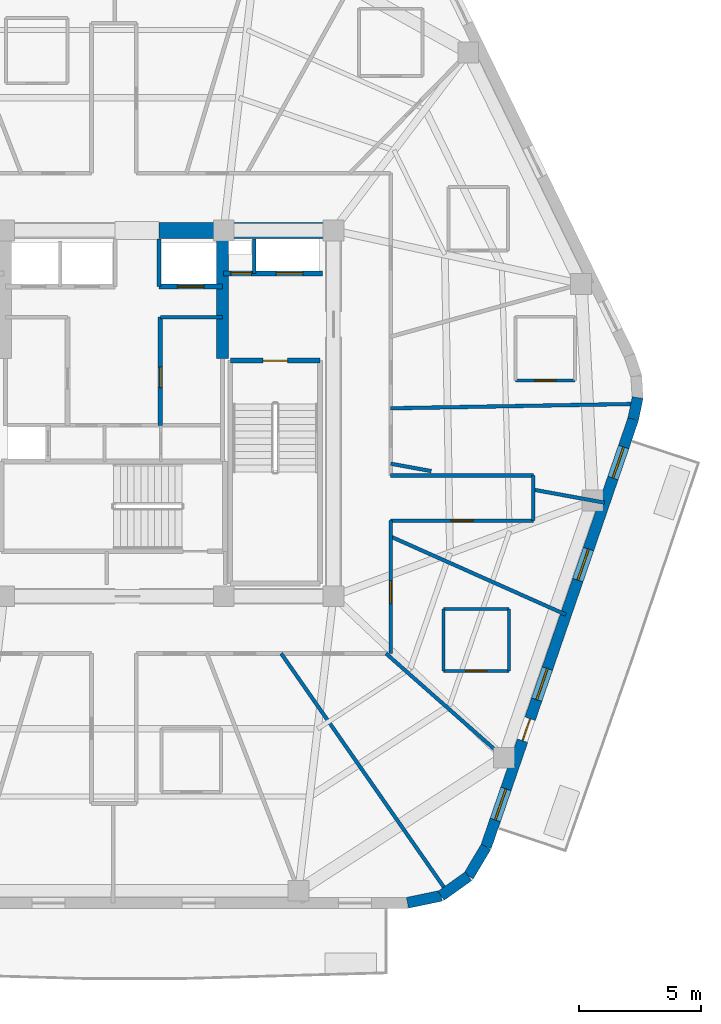
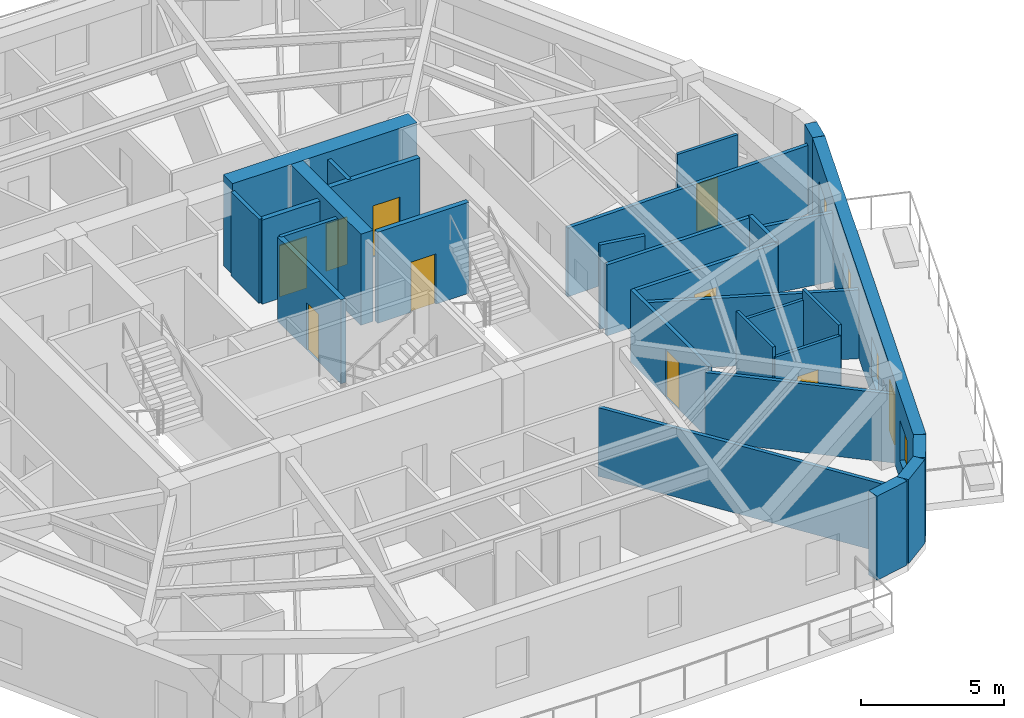
# One storey, part 5 of 9: 29 walls, 10 doors, 4 windows, 14 openings.
"""IFC4 building model written with IfcOpenShell, lengths in metres."""

import ifcopenshell
import ifcopenshell.guid

model = None  # the IFC model being written
_history = None  # IfcOwnerHistory: only IFC2X3 demands one
_inside = {}  # id of a spatial element -> (the spatial element, [elements in it])
_under = {}  # id of a project, library or spatial element -> (it, [spatial elements below it])
_declared = {}  # id of a project -> (the project, [libraries it declares])
_typed = {}  # id of a type object -> (the type object, [elements of that type])
_made_of = {}  # id of a material, layer set ... -> (it, [elements and type objects made of it])


def new_model(schema):
    """Start an empty IFC model of exactly this schema.

    Asked for "IFC4X3", IfcOpenShell would pick the latest addendum, in which some entities
    have other attributes; the version numbers below select the first issue.
    IFC2X3 requires an IfcOwnerHistory on every rooted entity: one is made here for all.
    """
    global model, _history
    if schema == "IFC4X3":
        model = ifcopenshell.file(schema_version=(4, 3, 0, 0))
    else:
        model = ifcopenshell.file(schema=schema)
    _inside.clear()
    _under.clear()
    _declared.clear()
    _typed.clear()
    _made_of.clear()
    _history = None
    if model.schema == "IFC2X3":
        org = make("IfcOrganization", Name="unknown")
        user = make(
            "IfcPersonAndOrganization",
            ThePerson=make("IfcPerson", FamilyName="unknown"),
            TheOrganization=org,
        )
        app = make(
            "IfcApplication",
            ApplicationDeveloper=org,
            Version="unknown",
            ApplicationFullName="unknown",
            ApplicationIdentifier="unknown",
        )
        _history = make(
            "IfcOwnerHistory",
            OwningUser=user,
            OwningApplication=app,
            ChangeAction="ADDED",
            CreationDate=0,
        )
    return model


def make(cls, **values):
    """One entity of the class cls with the attributes given. An attribute that is None is left unset."""
    return model.create_entity(
        cls, **{name: value for name, value in values.items() if value is not None}
    )


def rooted(cls, **values):
    """An entity with a GlobalId (a new one), such as an element, a storey or a relation."""
    return make(cls, GlobalId=ifcopenshell.guid.new(), OwnerHistory=_history, **values)


def si_unit(unit_type, name, prefix=None):
    """IfcSIUnit, for example si_unit("LENGTHUNIT", "METRE", prefix="MILLI")."""
    return make("IfcSIUnit", UnitType=unit_type, Prefix=prefix, Name=name)


def assignment(units):
    """IfcUnitAssignment: the units of a project."""
    return None if units is None else make("IfcUnitAssignment", Units=units)


def point(xyz):
    """IfcCartesianPoint."""
    return None if xyz is None else make("IfcCartesianPoint", Coordinates=xyz)


def direction(xyz):
    """IfcDirection."""
    return None if xyz is None else make("IfcDirection", DirectionRatios=xyz)


def frame(location, z_axis=None, x_axis=None):
    """IfcAxis2Placement3D, a coordinate frame: its origin and axes. An axis left out is left unset."""
    return make(
        "IfcAxis2Placement3D",
        Location=point(location),
        Axis=direction(z_axis),
        RefDirection=direction(x_axis),
    )


def frame_2d(location, x_axis=None):
    """IfcAxis2Placement2D, a coordinate frame in the plane: its origin and x axis."""
    return make(
        "IfcAxis2Placement2D", Location=point(location), RefDirection=direction(x_axis)
    )


def origin():
    """The frame at (0, 0, 0) with its axes left unset."""
    return frame((0.0, 0.0, 0.0))


def place(relative_to, where):
    """IfcLocalPlacement: puts the frame where relative to a parent placement (None: the world)."""
    return make(
        "IfcLocalPlacement", PlacementRelTo=relative_to, RelativePlacement=where
    )


def context(
    kind, dimensions, precision=None, world=None, true_north=None, identifier=None
):
    """IfcGeometricRepresentationContext, for example the 3D "Model" context."""
    return make(
        "IfcGeometricRepresentationContext",
        ContextIdentifier=identifier,
        ContextType=kind,
        CoordinateSpaceDimension=dimensions,
        Precision=precision,
        WorldCoordinateSystem=world,
        TrueNorth=true_north,
    )


def subcontext(parent, identifier, kind, view, scale=None):
    """IfcGeometricRepresentationSubContext, for example "Body" below "Model"."""
    return make(
        "IfcGeometricRepresentationSubContext",
        ContextIdentifier=identifier,
        ContextType=kind,
        ParentContext=parent,
        TargetScale=scale,
        TargetView=view,
    )


def project(units=None, contexts=None):
    """IfcProject with its units and contexts."""
    return rooted(
        "IfcProject",
        Name="project",
        RepresentationContexts=contexts,
        UnitsInContext=assignment(units),
    )


def spatial(cls, under=None, at=None, **own):
    """A site, building, storey or space (cls), placed at a placement, below another one or the project."""
    s = rooted(cls, ObjectPlacement=at, **own)
    if under is not None:
        _under.setdefault(under.id(), (under, []))[1].append(s)
    return s


def profile(cls, at=None, kind="AREA", **sizes):
    """A parametric profile (cls). Its sizes go by their IFC names, for example OverallWidth=200.0."""
    return make(cls, ProfileType=kind, Position=at, **sizes)


def rectangle(**sizes):
    """IfcRectangleProfileDef."""
    return profile("IfcRectangleProfileDef", **sizes)


def extrude(swept, where, along, depth):
    """IfcExtrudedAreaSolid: the profile swept, set in the frame where, extruded along a direction by depth."""
    return make(
        "IfcExtrudedAreaSolid",
        SweptArea=swept,
        Position=where,
        ExtrudedDirection=direction(along),
        Depth=depth,
    )


def shape(context_of_items, identifier, shape_type, items):
    """IfcShapeRepresentation: the items that make up one representation, for example the "Body"."""
    return make(
        "IfcShapeRepresentation",
        ContextOfItems=context_of_items,
        RepresentationIdentifier=identifier,
        RepresentationType=shape_type,
        Items=items,
    )


def material(Name=None, Category=None):
    """IfcMaterial."""
    return make("IfcMaterial", Name=Name, Category=Category)


def layer(
    of_material, thickness, ventilated=None, Name=None, Category=None, Priority=None
):
    """IfcMaterialLayer: one layer of a wall or slab, of a material (None: an air gap)."""
    return make(
        "IfcMaterialLayer",
        Material=of_material,
        LayerThickness=thickness,
        IsVentilated=ventilated,
        Name=Name,
        Category=Category,
        Priority=Priority,
    )


def layer_set(layers, Name=None):
    """IfcMaterialLayerSet."""
    return make("IfcMaterialLayerSet", MaterialLayers=layers, LayerSetName=Name)


def made_of(thing, what):
    """Note that an element or type object is made of a material, layer set ...; save() writes the relation."""
    if what is not None:
        _made_of.setdefault(what.id(), (what, []))[1].append(thing)
    return thing


def type_object(cls, material=None, **own):
    """A type object (cls), such as IfcWallType, which elements share."""
    return made_of(rooted(cls, **own), material)


def element(
    cls,
    number,
    at=None,
    inside=None,
    cuts=None,
    type_object=None,
    material=None,
    context=None,
    identifier="Body",
    shape_type=None,
    held_by="IfcProductDefinitionShape",
    body=None,
    shapes=None,
    **own,
):
    """One element of the class cls, such as IfcWall. Its Tag is "e" and its number.

    at: its placement. inside: the storey or other place that contains it. cuts: it is an
    opening in that element (IfcRelVoidsElement). A single representation is given by context,
    identifier, shape_type and body (its items); several are given by shapes. held_by: the class
    of the entity that holds the representations. save() writes the other relations.
    """
    e = rooted(cls, Tag="e%d" % number, ObjectPlacement=at, **own)
    if body is not None:
        shapes = [shape(context, identifier, shape_type, body)]
    if shapes is not None:
        e.Representation = make(held_by, Representations=shapes)
    if inside is not None:
        _inside.setdefault(inside.id(), (inside, []))[1].append(e)
    if cuts is not None:
        rooted(
            "IfcRelVoidsElement", RelatingBuildingElement=cuts, RelatedOpeningElement=e
        )
    if type_object is not None:
        _typed.setdefault(type_object.id(), (type_object, []))[1].append(e)
    return made_of(e, material)


def fill(opening, filler):
    """IfcRelFillsElement: the door or window that sits in an opening."""
    return rooted(
        "IfcRelFillsElement",
        RelatingOpeningElement=opening,
        RelatedBuildingElement=filler,
    )


def aggregate(whole, parts):
    """IfcRelAggregates: a whole, such as a stair, and the parts it consists of."""
    return rooted("IfcRelAggregates", RelatingObject=whole, RelatedObjects=parts)


def save(model, path):
    """Write the relations noted so far, then the file.

    IfcRelAggregates (storeys below a building ...), IfcRelContainedInSpatialStructure (elements
    in a storey), IfcRelDefinesByType, IfcRelAssociatesMaterial and IfcRelDeclares: one each for
    every whole, place, type object, material and project.
    """
    for whole, parts in _under.values():
        aggregate(whole, parts)
    for where, things in _inside.values():
        rooted(
            "IfcRelContainedInSpatialStructure",
            RelatedElements=things,
            RelatingStructure=where,
        )
    for kind, things in _typed.values():
        rooted("IfcRelDefinesByType", RelatedObjects=things, RelatingType=kind)
    for what, things in _made_of.values():
        rooted("IfcRelAssociatesMaterial", RelatedObjects=things, RelatingMaterial=what)
    for by, libraries in _declared.values():
        rooted("IfcRelDeclares", RelatingContext=by, RelatedDefinitions=libraries)
    model.write(path)


model = new_model("IFC4")

# Units and contexts
model_context = context("Model", 3, precision=1e-05, world=origin(), true_north=direction((0.0, 1.0)))
body_context = subcontext(model_context, "Body", "Model", "MODEL_VIEW")
ifc_project = project(units=[si_unit("LENGTHUNIT", "METRE"), si_unit("AREAUNIT", "SQUARE_METRE"), si_unit("VOLUMEUNIT", "CUBIC_METRE"), si_unit("PLANEANGLEUNIT", "RADIAN"), si_unit("MASSUNIT", "GRAM", prefix="KILO")], contexts=[model_context])

# Site, building, storey
site_placement = place(None, origin())
site = spatial("IfcSite", under=ifc_project, at=site_placement, CompositionType="ELEMENT")
building_placement = place(site_placement, origin())
building = spatial("IfcBuilding", under=site, at=building_placement, Name="Kilnhurst Terrace Hotel", CompositionType="ELEMENT")
storey_placement = place(building_placement, frame((0.0, 0.0, 261.300048828125)))
storey = spatial("IfcBuildingStorey", under=building, at=storey_placement, Name="L65", CompositionType="ELEMENT", Elevation=261.300048828125)

# Walls
ifc_material_1 = material(Name="Precast concrete C40/50", Category="concrete")
ifc_layer_1 = layer(ifc_material_1, 0.449951171875, Name="Precast concrete C40/50")
ifc_layer_set_1 = layer_set([ifc_layer_1], Name="Precast concrete C40/50")
wall_type_1 = type_object("IfcWallType", Name="WL-BRK-450", PredefinedType="SOLIDWALL", material=ifc_layer_set_1)
wall_1_placement = place(storey_placement, frame((12.038330078125, -20.074951171875, 0.0), z_axis=(0.0, 0.0, 1.0), x_axis=(0.978750122553, 0.205056571711, 0.0)))
element("IfcWall", 1, at=wall_1_placement, inside=storey, type_object=wall_type_1, Name="L65 Rounded Corner Brick Wall C2.1", PredefinedType="SOLIDWALL", context=body_context, shape_type="SweptSolid", body=[
    extrude(rectangle(XDim=1.406005859375, YDim=0.449951171875, at=frame_2d((0.703125, 0.0))), origin(), (0.0, 0.0, 1.0), 3.599853515625),
])
wall_2_placement = place(storey_placement, frame((13.41455078125, -19.78662109375, 0.0), z_axis=(0.0, 0.0, 1.0), x_axis=(0.814055493997, 0.580787097561, 0.0)))
element("IfcWall", 2, at=wall_2_placement, inside=storey, type_object=wall_type_1, Name="L65 Rounded Corner Brick Wall C2.2", PredefinedType="SOLIDWALL", context=body_context, shape_type="SweptSolid", body=[
    extrude(rectangle(XDim=1.382568359375, YDim=0.449951171875, at=frame_2d((0.69140625, 0.0))), origin(), (0.0, 0.0, 1.0), 3.599853515625),
])
wall_3_placement = place(storey_placement, frame((14.5400390625, -18.983642578125, 0.0), z_axis=(0.0, 0.0, 1.0), x_axis=(0.512374906623, 0.858761873317, 0.0)))
element("IfcWall", 3, at=wall_3_placement, inside=storey, type_object=wall_type_1, Name="L65 Rounded Corner Brick Wall C2.3", PredefinedType="SOLIDWALL", context=body_context, shape_type="SweptSolid", body=[
    extrude(rectangle(XDim=1.406005859375, YDim=0.449951171875, at=frame_2d((0.703125, 0.0))), origin(), (0.0, 0.0, 1.0), 3.599853515625),
])
wall_4_placement = place(storey_placement, frame((21.297607421875, -0.2333984375, 0.0), z_axis=(0.0, 0.0, 1.0), x_axis=(0.199158176661, 0.979967356941, 0.0)))
element("IfcWall", 4, at=wall_4_placement, inside=storey, type_object=wall_type_1, Name="L65 Rounded Corner Brick Wall C3.1", PredefinedType="SOLIDWALL", context=body_context, shape_type="SweptSolid", body=[
    extrude(rectangle(XDim=0.894775390625, YDim=0.449951171875, at=frame_2d((0.447265625, 0.0))), origin(), (0.0, 0.0, 1.0), 3.599853515625),
])

# Wall, openings, door, windows
wall_5_placement = place(storey_placement, frame((15.260498046875, -17.776123046875, 0.0), z_axis=(0.0, 0.0, 1.0), x_axis=(0.325407437101, 0.945573899745, 0.0)))
wall_5 = element("IfcWall", 5, at=wall_5_placement, inside=storey, type_object=wall_type_1, Name="L65 Exterior Brick Facade Wall F2", PredefinedType="SOLIDWALL", context=body_context, shape_type="SweptSolid", body=[
    extrude(rectangle(XDim=18.552490234375, YDim=0.449951171875, at=frame_2d((9.2763671875, 0.0))), origin(), (0.0, 0.0, 1.0), 3.599853515625),
])
opening_1_placement = place(wall_5_placement, frame((4.60205078125, 0.0, 0.0)))
opening_1 = element("IfcOpeningElement", 6, at=opening_1_placement, cuts=wall_5, Name="Opening BD-950", PredefinedType="OPENING", context=body_context, shape_type="SweptSolid", body=[
    extrude(rectangle(XDim=0.949951171875, YDim=2.14990234375, at=frame_2d((0.47509765625, 1.074951171875))), frame((0.0, 0.23486328125, 0.0), z_axis=(0.0, -1.0, 0.0), x_axis=(1.0, 0.0, 0.0)), (0.0, 0.0, 1.0), 0.469970703125),
])
opening_2_placement = place(wall_5_placement, frame((1.160888671875, 0.0, 0.800048828125)))
opening_2 = element("IfcOpeningElement", 7, at=opening_2_placement, cuts=wall_5, Name="Opening W-06", PredefinedType="OPENING", context=body_context, shape_type="SweptSolid", body=[
    extrude(rectangle(XDim=1.35009765625, YDim=1.75, at=frame_2d((0.675048828125, 0.875))), frame((0.0, 0.23486328125, 0.0), z_axis=(0.0, -1.0, 0.0), x_axis=(1.0, 0.0, 0.0)), (0.0, 0.0, 1.0), 0.469970703125),
])
opening_3_placement = place(wall_5_placement, frame((6.37890625, 0.0, 0.800048828125)))
opening_3 = element("IfcOpeningElement", 8, at=opening_3_placement, cuts=wall_5, Name="Opening W-06", PredefinedType="OPENING", context=body_context, shape_type="SweptSolid", body=[
    extrude(rectangle(XDim=1.35009765625, YDim=1.75, at=frame_2d((0.675048828125, 0.875))), frame((0.0, 0.23486328125, 0.0), z_axis=(0.0, -1.0, 0.0), x_axis=(1.0, 0.0, 0.0)), (0.0, 0.0, 1.0), 0.469970703125),
])
opening_4_placement = place(wall_5_placement, frame((11.56103515625, 0.0, 0.800048828125)))
opening_4 = element("IfcOpeningElement", 9, at=opening_4_placement, cuts=wall_5, Name="Opening W-06", PredefinedType="OPENING", context=body_context, shape_type="SweptSolid", body=[
    extrude(rectangle(XDim=1.35009765625, YDim=1.75, at=frame_2d((0.675048828125, 0.875))), frame((0.0, 0.23486328125, 0.0), z_axis=(0.0, -1.0, 0.0), x_axis=(1.0, 0.0, 0.0)), (0.0, 0.0, 1.0), 0.469970703125),
])
opening_5_placement = place(wall_5_placement, frame((15.987060546875, 0.0, 0.800048828125)))
opening_5 = element("IfcOpeningElement", 10, at=opening_5_placement, cuts=wall_5, Name="Opening W-06", PredefinedType="OPENING", context=body_context, shape_type="SweptSolid", body=[
    extrude(rectangle(XDim=1.35009765625, YDim=1.75, at=frame_2d((0.675048828125, 0.875))), frame((0.0, 0.23486328125, 0.0), z_axis=(0.0, -1.0, 0.0), x_axis=(1.0, 0.0, 0.0)), (0.0, 0.0, 1.0), 0.469970703125),
])
ifc_material_2 = material(Name="Thermally Broken Bronze Aluminium Alloy 6063-T6 and Laminated Glass", Category="aluminium")
door_type_1 = type_object("IfcDoorType", Name="DR-EXT-BAL-950", OperationType="NOTDEFINED", PredefinedType="DOOR", material=ifc_material_2)
door_1_placement = place(opening_1_placement, origin())
door_1 = element("IfcDoor", 11, at=door_1_placement, inside=storey, type_object=door_type_1, Name="L65 Planted Balcony Door BAL-L1B", OperationType="SINGLE_SWING_RIGHT", OverallHeight=2.14990234375, OverallWidth=0.949951171875, PredefinedType="DOOR", context=body_context, shape_type="SweptSolid", body=[
    extrude(rectangle(XDim=0.949951171875, YDim=2.14990234375, at=frame_2d((0.47509765625, 1.074951171875))), frame((0.0, 0.02490234375, 0.0), z_axis=(0.0, -1.0, 0.0), x_axis=(1.0, 0.0, 0.0)), (0.0, 0.0, 1.0), 0.050048828125),
])
fill(opening_1, door_1)
ifc_material_3 = material(Name="Thermally Broken Bronze Aluminium Alloy 6063-T6 and Low-E Glass", Category="aluminium")
window_type = type_object("IfcWindowType", Name="WIN-1350X1750", PartitioningType="SINGLE_PANEL", PredefinedType="WINDOW", material=ifc_material_3)
window_1_placement = place(opening_2_placement, origin())
window_1 = element("IfcWindow", 12, at=window_1_placement, inside=storey, type_object=window_type, Name="L65 Deep-Set Masonry Window F2.1", OverallHeight=1.75, OverallWidth=1.35009765625, PartitioningType="SINGLE_PANEL", PredefinedType="WINDOW", context=body_context, shape_type="SweptSolid", body=[
    extrude(rectangle(XDim=1.35009765625, YDim=1.75, at=frame_2d((0.675048828125, 0.875))), frame((0.0, 0.030029296875, 0.0), z_axis=(0.0, -1.0, 0.0), x_axis=(1.0, 0.0, 0.0)), (0.0, 0.0, 1.0), 0.06005859375),
])
fill(opening_2, window_1)
window_2_placement = place(opening_3_placement, origin())
window_2 = element("IfcWindow", 13, at=window_2_placement, inside=storey, type_object=window_type, Name="L65 Deep-Set Masonry Window F2.2", OverallHeight=1.75, OverallWidth=1.35009765625, PartitioningType="SINGLE_PANEL", PredefinedType="WINDOW", context=body_context, shape_type="SweptSolid", body=[
    extrude(rectangle(XDim=1.35009765625, YDim=1.75, at=frame_2d((0.675048828125, 0.875))), frame((0.0, 0.030029296875, 0.0), z_axis=(0.0, -1.0, 0.0), x_axis=(1.0, 0.0, 0.0)), (0.0, 0.0, 1.0), 0.06005859375),
])
fill(opening_3, window_2)
window_3_placement = place(opening_4_placement, origin())
window_3 = element("IfcWindow", 14, at=window_3_placement, inside=storey, type_object=window_type, Name="L65 Deep-Set Masonry Window F2.3", OverallHeight=1.75, OverallWidth=1.35009765625, PartitioningType="SINGLE_PANEL", PredefinedType="WINDOW", context=body_context, shape_type="SweptSolid", body=[
    extrude(rectangle(XDim=1.35009765625, YDim=1.75, at=frame_2d((0.675048828125, 0.875))), frame((0.0, 0.030029296875, 0.0), z_axis=(0.0, -1.0, 0.0), x_axis=(1.0, 0.0, 0.0)), (0.0, 0.0, 1.0), 0.06005859375),
])
fill(opening_4, window_3)
window_4_placement = place(opening_5_placement, origin())
window_4 = element("IfcWindow", 15, at=window_4_placement, inside=storey, type_object=window_type, Name="L65 Deep-Set Masonry Window F2.4", OverallHeight=1.75, OverallWidth=1.35009765625, PartitioningType="SINGLE_PANEL", PredefinedType="WINDOW", context=body_context, shape_type="SweptSolid", body=[
    extrude(rectangle(XDim=1.35009765625, YDim=1.75, at=frame_2d((0.675048828125, 0.875))), frame((0.0, 0.030029296875, 0.0), z_axis=(0.0, -1.0, 0.0), x_axis=(1.0, 0.0, 0.0)), (0.0, 0.0, 1.0), 0.06005859375),
])
fill(opening_5, window_4)

# Walls
ifc_material_4 = material(Name="Acoustic Double-Gypsum Corridor Partition Assembly")
ifc_layer_2 = layer(ifc_material_4, 0.14990234375, Name="Acoustic Double-Gypsum Corridor Partition Assembly")
ifc_layer_set_2 = layer_set([ifc_layer_2], Name="Acoustic Double-Gypsum Corridor Partition Assembly")
wall_type_2 = type_object("IfcWallType", Name="WL-COR-150", PredefinedType="PARTITIONING", material=ifc_layer_set_2)
wall_6_placement = place(storey_placement, frame((11.35009765625, -2.550048828125, 0.0), z_axis=(0.0, 0.0, 1.0), x_axis=(1.0, 0.0, 0.0)))
element("IfcWall", 16, at=wall_6_placement, inside=storey, type_object=wall_type_2, Name="L65 Interior Wall WL-L65-COR-12", PredefinedType="PARTITIONING", context=body_context, shape_type="SweptSolid", body=[
    extrude(rectangle(XDim=5.849853515625, YDim=0.14990234375, at=frame_2d((2.9248046875, 0.0))), origin(), (0.0, 0.0, 1.0), 3.04052734375),
])
wall_7_placement = place(storey_placement, frame((17.199951171875, -2.550048828125, 0.0), z_axis=(0.0, 0.0, 1.0), x_axis=(0.0, -1.0, 0.0)))
element("IfcWall", 17, at=wall_7_placement, inside=storey, type_object=wall_type_2, Name="L65 Interior Wall WL-L65-COR-13", PredefinedType="PARTITIONING", context=body_context, shape_type="SweptSolid", body=[
    extrude(rectangle(XDim=1.849853515625, YDim=0.14990234375, at=frame_2d((0.9248046875, 0.0))), origin(), (0.0, 0.0, 1.0), 3.08984375),
])

# Wall, opening, door
wall_8_placement = place(storey_placement, frame((17.199951171875, -4.39990234375, 0.0), z_axis=(0.0, 0.0, 1.0), x_axis=(-1.0, 0.0, 0.0)))
wall_8 = element("IfcWall", 18, at=wall_8_placement, inside=storey, type_object=wall_type_2, Name="L65 Interior Wall WL-L65-COR-14", PredefinedType="PARTITIONING", context=body_context, shape_type="SweptSolid", body=[
    extrude(rectangle(XDim=5.849853515625, YDim=0.14990234375, at=frame_2d((2.9248046875, 0.0))), origin(), (0.0, 0.0, 1.0), 3.04052734375),
])
opening_6_placement = place(wall_8_placement, frame((2.47509765625, 0.0, 0.0)))
opening_6 = element("IfcOpeningElement", 19, at=opening_6_placement, cuts=wall_8, Name="Opening D-60C", PredefinedType="OPENING", context=body_context, shape_type="SweptSolid", body=[
    extrude(rectangle(XDim=0.89990234375, YDim=2.030029296875, at=frame_2d((0.449951171875, 1.01513671875))), frame((0.0, 0.0849609375, 0.0), z_axis=(0.0, -1.0, 0.0), x_axis=(1.0, 0.0, 0.0)), (0.0, 0.0, 1.0), 0.169921875),
])
ifc_material_5 = material(Name="Painted Solid-Core Service Fire Door")
door_type_2 = type_object("IfcDoorType", Name="DR-FD60-900", OperationType="NOTDEFINED", PredefinedType="DOOR", material=ifc_material_5)
door_2_placement = place(opening_6_placement, origin())
door_2 = element("IfcDoor", 20, at=door_2_placement, inside=storey, type_object=door_type_2, Name="L65 Wellness Consultation Room Door 21", OperationType="SINGLE_SWING_LEFT", OverallHeight=2.030029296875, OverallWidth=0.89990234375, PredefinedType="DOOR", context=body_context, shape_type="SweptSolid", body=[
    extrude(rectangle(XDim=0.89990234375, YDim=2.030029296875, at=frame_2d((0.449951171875, 1.01513671875))), frame((0.0, 0.02490234375, 0.0), z_axis=(0.0, -1.0, 0.0), x_axis=(1.0, 0.0, 0.0)), (0.0, 0.0, 1.0), 0.050048828125),
])
fill(opening_6, door_2)

wall_9_placement = place(storey_placement, frame((11.35009765625, -4.39990234375, 0.0), z_axis=(0.0, 0.0, 1.0), x_axis=(0.0, -1.0, 0.0)))
wall_9 = element("IfcWall", 21, at=wall_9_placement, inside=storey, type_object=wall_type_2, Name="L65 Interior Wall WL-L65-COR-15", PredefinedType="PARTITIONING", context=body_context, shape_type="SweptSolid", body=[
    extrude(rectangle(XDim=5.4501953125, YDim=0.14990234375, at=frame_2d((2.72509765625, 0.0))), origin(), (0.0, 0.0, 1.0), 3.08984375),
])
opening_7_placement = place(wall_9_placement, frame((2.4580078125, 0.0, 0.0)))
opening_7 = element("IfcOpeningElement", 22, at=opening_7_placement, cuts=wall_9, Name="Opening D-60B", PredefinedType="OPENING", context=body_context, shape_type="SweptSolid", body=[
    extrude(rectangle(XDim=0.949951171875, YDim=2.030029296875, at=frame_2d((0.47509765625, 1.01513671875))), frame((0.0, 0.0849609375, 0.0), z_axis=(0.0, -1.0, 0.0), x_axis=(1.0, 0.0, 0.0)), (0.0, 0.0, 1.0), 0.169921875),
])
ifc_material_6 = material(Name="Acoustic Walnut Veneer Solid-Core Fire Door")
door_type_3 = type_object("IfcDoorType", Name="DR-FD60-950", OperationType="NOTDEFINED", PredefinedType="DOOR", material=ifc_material_6)
door_3_placement = place(opening_7_placement, origin())
door_3 = element("IfcDoor", 23, at=door_3_placement, inside=storey, type_object=door_type_3, Name="L65 Guest Room Entry Door 20", OperationType="SINGLE_SWING_RIGHT", OverallHeight=2.030029296875, OverallWidth=0.949951171875, PredefinedType="DOOR", context=body_context, shape_type="SweptSolid", body=[
    extrude(rectangle(XDim=0.949951171875, YDim=2.030029296875, at=frame_2d((0.47509765625, 1.01513671875))), frame((0.0, 0.02490234375, 0.0), z_axis=(0.0, -1.0, 0.0), x_axis=(1.0, 0.0, 0.0)), (0.0, 0.0, 1.0), 0.050048828125),
])
fill(opening_7, door_3)

# Walls
ifc_material_7 = material(Name="Concrete C60/75", Category="concrete")
ifc_layer_3 = layer(ifc_material_7, 0.64990234375, Name="Concrete C60/75")
ifc_layer_set_3 = layer_set([ifc_layer_3], Name="Concrete C60/75")
wall_type_3 = type_object("IfcWallType", Name="WL-CORE-650", PredefinedType="SHEAR", material=ifc_layer_set_3)
wall_10_placement = place(storey_placement, frame((1.85009765625, 7.5, 0.0), z_axis=(0.0, 0.0, 1.0), x_axis=(1.0, 0.0, 0.0)))
element("IfcWall", 24, at=wall_10_placement, inside=storey, type_object=wall_type_3, Name="L65 Core North East Shear Wall", PredefinedType="SHEAR", context=body_context, shape_type="SweptSolid", body=[
    extrude(rectangle(XDim=7.474853515625, YDim=0.64990234375, at=frame_2d((3.7373046875, 0.0))), origin(), (0.0, 0.0, 1.0), 3.89990234375),
])
ifc_layer_4 = layer(ifc_material_7, 0.5, Name="Concrete C60/75")
ifc_layer_set_4 = layer_set([ifc_layer_4], Name="Concrete C60/75")
wall_type_4 = type_object("IfcWallType", Name="WL-CORE-WEB-500", PredefinedType="SHEAR", material=ifc_layer_set_4)
wall_11_placement = place(storey_placement, frame((4.449951171875, 2.25, 0.0), z_axis=(0.0, 0.0, 1.0), x_axis=(0.0, 1.0, 0.0)))
element("IfcWall", 25, at=wall_11_placement, inside=storey, type_object=wall_type_4, Name="L65 Core Internal East Shear Web", PredefinedType="SHEAR", context=body_context, shape_type="SweptSolid", body=[
    extrude(rectangle(XDim=4.925048828125, YDim=0.5, at=frame_2d((2.46240234375, 0.0))), origin(), (0.0, 0.0, 1.0), 3.89990234375),
])
ifc_material_8 = material(Name="STC-58 Acoustic Twin-Frame Guestroom Demising Partition")
ifc_layer_5 = layer(ifc_material_8, 0.14990234375, Name="STC-58 Acoustic Twin-Frame Guestroom Demising Partition")
ifc_layer_set_5 = layer_set([ifc_layer_5], Name="STC-58 Acoustic Twin-Frame Guestroom Demising Partition")
wall_type_5 = type_object("IfcWallType", Name="WL-DEM-150", PredefinedType="PARTITIONING", material=ifc_layer_set_5)
wall_12_placement = place(storey_placement, frame((11.35009765625, 0.2041015625, 0.0), z_axis=(0.0, 0.0, 1.0), x_axis=(0.999838748671, 0.017957635019, 0.0)))
element("IfcWall", 26, at=wall_12_placement, inside=storey, type_object=wall_type_5, Name="L65 Interior Wall WL-L65-DEM-MID12-01-1", PredefinedType="PARTITIONING", context=body_context, shape_type="SweptSolid", body=[
    extrude(rectangle(XDim=9.9111328125, YDim=0.14990234375, at=frame_2d((4.95556640625, 0.0))), origin(), (0.0, 0.0, 1.0), 2.93994140625),
])
wall_13_placement = place(storey_placement, frame((6.858154296875, -9.85009765625, 0.0), z_axis=(0.0, 0.0, 1.0), x_axis=(0.571391702066, -0.820677477948, 0.0)))
element("IfcWall", 27, at=wall_13_placement, inside=storey, type_object=wall_type_5, Name="L65 Interior Wall WL-L65-DEM-MID10-19-1", PredefinedType="PARTITIONING", context=body_context, shape_type="SweptSolid", body=[
    extrude(rectangle(XDim=11.737548828125, YDim=0.14990234375, at=frame_2d((5.86865234375, 0.0))), origin(), (0.0, 0.0, 1.0), 2.93994140625),
])
wall_14_placement = place(storey_placement, frame((11.1572265625, -9.85009765625, 0.0), z_axis=(0.0, 0.0, 1.0), x_axis=(0.74966962095, -0.661812253909, 0.0)))
element("IfcWall", 28, at=wall_14_placement, inside=storey, type_object=wall_type_5, Name="L65 Interior Wall WL-L65-DEM-COL11-20-1", PredefinedType="PARTITIONING", context=body_context, shape_type="SweptSolid", body=[
    extrude(rectangle(XDim=6.98876953125, YDim=0.14990234375, at=frame_2d((3.494384765625, 0.0))), origin(), (0.0, 0.0, 1.0), 2.93994140625),
])
wall_15_placement = place(storey_placement, frame((11.35009765625, -5.056640625, 0.0), z_axis=(0.0, 0.0, 1.0), x_axis=(0.91344644156, -0.406958964026, 0.0)))
element("IfcWall", 29, at=wall_15_placement, inside=storey, type_object=wall_type_5, Name="L65 Interior Wall WL-L65-DEM-MID11-21-1", PredefinedType="PARTITIONING", context=body_context, shape_type="SweptSolid", body=[
    extrude(rectangle(XDim=7.86669921875, YDim=0.14990234375, at=frame_2d((3.933349609375, 0.0))), origin(), (0.0, 0.0, 1.0), 2.93994140625),
])
wall_16_placement = place(storey_placement, frame((11.35009765625, -2.067138671875, 0.0), z_axis=(0.0, 0.0, 1.0), x_axis=(0.983807459651, -0.179228575665, 0.0)))
element("IfcWall", 30, at=wall_16_placement, inside=storey, type_object=wall_type_5, Name="L65 Interior Wall WL-L65-DEM-COL12-22-1", PredefinedType="PARTITIONING", context=body_context, shape_type="SweptSolid", body=[
    extrude(rectangle(XDim=1.6904296875, YDim=0.14990234375, at=frame_2d((0.84521484375, 0.0))), origin(), (0.0, 0.0, 1.0), 3.599853515625),
])
wall_17_placement = place(storey_placement, frame((17.199951171875, -3.132568359375, 0.0), z_axis=(0.0, 0.0, 1.0), x_axis=(0.983817168797, -0.179175272791, 0.0)))
element("IfcWall", 31, at=wall_17_placement, inside=storey, type_object=wall_type_5, Name="L65 Interior Wall WL-L65-DEM-COL12-22-2", PredefinedType="PARTITIONING", context=body_context, shape_type="SweptSolid", body=[
    extrude(rectangle(XDim=2.965087890625, YDim=0.14990234375, at=frame_2d((1.482421875, 0.0))), origin(), (0.0, 0.0, 1.0), 2.93994140625),
])

# Wall, opening, door
ifc_material_9 = material(Name="120 mm Moisture-Resistant Tile-Backed Bathroom Partition")
ifc_layer_6 = layer(ifc_material_9, 0.1201171875, Name="120 mm Moisture-Resistant Tile-Backed Bathroom Partition")
ifc_layer_set_6 = layer_set([ifc_layer_6], Name="120 mm Moisture-Resistant Tile-Backed Bathroom Partition")
wall_type_6 = type_object("IfcWallType", Name="WL-PART-120", PredefinedType="PARTITIONING", material=ifc_layer_set_6)
wall_18_placement = place(storey_placement, frame((16.470947265625, 1.34912109375, 0.0), z_axis=(0.0, 0.0, 1.0), x_axis=(1.0, 0.0, 0.0)))
wall_18 = element("IfcWall", 32, at=wall_18_placement, inside=storey, type_object=wall_type_6, Name="L65 Interior Wall WL-L65-BTH-01-1", PredefinedType="PARTITIONING", context=body_context, shape_type="SweptSolid", body=[
    extrude(rectangle(XDim=2.43994140625, YDim=0.1201171875, at=frame_2d((1.219970703125, 0.0))), origin(), (0.0, 0.0, 1.0), 3.599853515625),
])
opening_8_placement = place(wall_18_placement, frame((0.794921875, 0.0, 0.0)))
opening_8 = element("IfcOpeningElement", 33, at=opening_8_placement, cuts=wall_18, Name="Opening D-08A", PredefinedType="OPENING", context=body_context, shape_type="SweptSolid", body=[
    extrude(rectangle(XDim=0.85009765625, YDim=2.030029296875, at=frame_2d((0.425048828125, 1.01513671875))), frame((0.0, 0.070068359375, 0.0), z_axis=(0.0, -1.0, 0.0), x_axis=(1.0, 0.0, 0.0)), (0.0, 0.0, 1.0), 0.14013671875),
])
ifc_material_10 = material(Name="Moisture-Resistant Lacquered En-suite Bathroom Door")
door_type_4 = type_object("IfcDoorType", Name="DR-INT-850", OperationType="NOTDEFINED", PredefinedType="DOOR", material=ifc_material_10)
door_4_placement = place(opening_8_placement, origin())
door_4 = element("IfcDoor", 34, at=door_4_placement, inside=storey, type_object=door_type_4, Name="L65 En-suite Bathroom Door 1", OperationType="SINGLE_SWING_RIGHT", OverallHeight=2.030029296875, OverallWidth=0.85009765625, PredefinedType="DOOR", context=body_context, shape_type="SweptSolid", body=[
    extrude(rectangle(XDim=0.85009765625, YDim=2.030029296875, at=frame_2d((0.425048828125, 1.01513671875))), frame((0.0, 0.02490234375, 0.0), z_axis=(0.0, -1.0, 0.0), x_axis=(1.0, 0.0, 0.0)), (0.0, 0.0, 1.0), 0.050048828125),
])
fill(opening_8, door_4)

wall_19_placement = place(storey_placement, frame((13.51904296875, -10.56689453125, 0.0), z_axis=(0.0, 0.0, 1.0), x_axis=(1.0, 0.0, 0.0)))
wall_19 = element("IfcWall", 35, at=wall_19_placement, inside=storey, type_object=wall_type_6, Name="L65 Interior Wall WL-L65-BTH-20-1", PredefinedType="PARTITIONING", context=body_context, shape_type="SweptSolid", body=[
    extrude(rectangle(XDim=2.679931640625, YDim=0.1201171875, at=frame_2d((1.33984375, 0.0))), origin(), (0.0, 0.0, 1.0), 3.17236328125),
])
opening_9_placement = place(wall_19_placement, frame((0.9150390625, 0.0, 0.0)))
opening_9 = element("IfcOpeningElement", 36, at=opening_9_placement, cuts=wall_19, Name="Opening D-08A", PredefinedType="OPENING", context=body_context, shape_type="SweptSolid", body=[
    extrude(rectangle(XDim=0.85009765625, YDim=2.030029296875, at=frame_2d((0.425048828125, 1.01513671875))), frame((0.0, 0.070068359375, 0.0), z_axis=(0.0, -1.0, 0.0), x_axis=(1.0, 0.0, 0.0)), (0.0, 0.0, 1.0), 0.14013671875),
])
door_5_placement = place(opening_9_placement, origin())
door_5 = element("IfcDoor", 37, at=door_5_placement, inside=storey, type_object=door_type_4, Name="L65 En-suite Bathroom Door 20", OperationType="SINGLE_SWING_LEFT", OverallHeight=2.030029296875, OverallWidth=0.85009765625, PredefinedType="DOOR", context=body_context, shape_type="SweptSolid", body=[
    extrude(rectangle(XDim=0.85009765625, YDim=2.030029296875, at=frame_2d((0.425048828125, 1.01513671875))), frame((0.0, 0.02490234375, 0.0), z_axis=(0.0, -1.0, 0.0), x_axis=(1.0, 0.0, 0.0)), (0.0, 0.0, 1.0), 0.050048828125),
])
fill(opening_9, door_5)

# Walls
wall_20_placement = place(storey_placement, frame((16.198974609375, -10.56689453125, 0.0), z_axis=(0.0, 0.0, 1.0), x_axis=(0.0, 1.0, 0.0)))
element("IfcWall", 38, at=wall_20_placement, inside=storey, type_object=wall_type_6, Name="L65 Interior Wall WL-L65-BTH-20-2", PredefinedType="PARTITIONING", context=body_context, shape_type="SweptSolid", body=[
    extrude(rectangle(XDim=2.539794921875, YDim=0.1201171875, at=frame_2d((1.27001953125, 0.0))), origin(), (0.0, 0.0, 1.0), 3.599853515625),
])
wall_21_placement = place(storey_placement, frame((16.198974609375, -8.027099609375, 0.0), z_axis=(0.0, 0.0, 1.0), x_axis=(-1.0, 0.0, 0.0)))
element("IfcWall", 39, at=wall_21_placement, inside=storey, type_object=wall_type_6, Name="L65 Interior Wall WL-L65-BTH-20-3", PredefinedType="PARTITIONING", context=body_context, shape_type="SweptSolid", body=[
    extrude(rectangle(XDim=2.679931640625, YDim=0.1201171875, at=frame_2d((1.33984375, 0.0))), origin(), (0.0, 0.0, 1.0), 3.17236328125),
])
wall_22_placement = place(storey_placement, frame((13.51904296875, -8.027099609375, 0.0), z_axis=(0.0, 0.0, 1.0), x_axis=(0.0, -1.0, 0.0)))
element("IfcWall", 40, at=wall_22_placement, inside=storey, type_object=wall_type_6, Name="L65 Interior Wall WL-L65-BTH-20-4", PredefinedType="PARTITIONING", context=body_context, shape_type="SweptSolid", body=[
    extrude(rectangle(XDim=2.539794921875, YDim=0.1201171875, at=frame_2d((1.27001953125, 0.0))), origin(), (0.0, 0.0, 1.0), 3.599853515625),
])
ifc_material_11 = material(Name="Fire-Rated Gypsum Shaftliner Assembly")
ifc_layer_7 = layer(ifc_material_11, 0.14990234375, Name="Fire-Rated Gypsum Shaftliner Assembly")
ifc_layer_set_7 = layer_set([ifc_layer_7], Name="Fire-Rated Gypsum Shaftliner Assembly")
wall_type_7 = type_object("IfcWallType", Name="WL-SHAFT-150", PredefinedType="PARTITIONING", material=ifc_layer_set_7)
wall_23_placement = place(storey_placement, frame((5.75, 5.739990234375, 0.0), z_axis=(0.0, 0.0, 1.0), x_axis=(0.0, 1.0, 0.0)))
element("IfcWall", 41, at=wall_23_placement, inside=storey, type_object=wall_type_7, Name="L65 Interior Wall WL-L65-RIS2-DIV", PredefinedType="PARTITIONING", context=body_context, shape_type="SweptSolid", body=[
    extrude(rectangle(XDim=1.409912109375, YDim=0.14990234375, at=frame_2d((0.705078125, 0.0))), origin(), (0.0, 0.0, 1.0), 3.599853515625),
])
wall_24_placement = place(storey_placement, frame((1.85009765625, 5.199951171875, 0.0), z_axis=(0.0, 0.0, 1.0), x_axis=(0.0, 1.0, 0.0)))
element("IfcWall", 42, at=wall_24_placement, inside=storey, type_object=wall_type_7, Name="L65 Interior Wall WL-L65-HR-PORTAL-E", PredefinedType="PARTITIONING", context=body_context, shape_type="SweptSolid", body=[
    extrude(rectangle(XDim=1.949951171875, YDim=0.14990234375, at=frame_2d((0.97509765625, 0.0))), origin(), (0.0, 0.0, 1.0), 3.599853515625),
])
wall_25_placement = place(storey_placement, frame((1.89990234375, 3.93994140625, 0.0), z_axis=(0.0, 0.0, 1.0), x_axis=(1.0, 0.0, 0.0)))
element("IfcWall", 43, at=wall_25_placement, inside=storey, type_object=wall_type_7, Name="L65 Interior Wall WL-L65-MR-NORTH", PredefinedType="PARTITIONING", context=body_context, shape_type="SweptSolid", body=[
    extrude(rectangle(XDim=2.550048828125, YDim=0.14990234375, at=frame_2d((1.27490234375, 0.0))), origin(), (0.0, 0.0, 1.0), 3.599853515625),
])

# Wall, openings, doors
ifc_material_12 = material(Name="Autoclaved Aerated Concrete C30/37 and Gypsum Shaft Assembly", Category="concrete")
ifc_layer_8 = layer(ifc_material_12, 0.199951171875, Name="Autoclaved Aerated Concrete C30/37 and Gypsum Shaft Assembly")
ifc_layer_set_8 = layer_set([ifc_layer_8], Name="Autoclaved Aerated Concrete C30/37 and Gypsum Shaft Assembly")
wall_type_8 = type_object("IfcWallType", Name="WL-SHAFT-200", PredefinedType="PARTITIONING", material=ifc_layer_set_8)
wall_26_placement = place(storey_placement, frame((4.5, 5.739990234375, 0.0), z_axis=(0.0, 0.0, 1.0), x_axis=(1.0, 0.0, 0.0)))
wall_26 = element("IfcWall", 44, at=wall_26_placement, inside=storey, type_object=wall_type_8, Name="L65 Interior Wall WL-L65-FSAE2-S", PredefinedType="PARTITIONING", context=body_context, shape_type="SweptSolid", body=[
    extrude(rectangle(XDim=4.050048828125, YDim=0.199951171875, at=frame_2d((2.02490234375, 0.0))), origin(), (0.0, 0.0, 1.0), 3.599853515625),
])
opening_10_placement = place(wall_26_placement, frame((0.300048828125, 0.0, 0.0)))
opening_10 = element("IfcOpeningElement", 45, at=opening_10_placement, cuts=wall_26, Name="Opening D-60D", PredefinedType="OPENING", context=body_context, shape_type="SweptSolid", body=[
    extrude(rectangle(XDim=0.85009765625, YDim=2.030029296875, at=frame_2d((0.425048828125, 1.01513671875))), frame((0.0, 0.10986328125, 0.0), z_axis=(0.0, -1.0, 0.0), x_axis=(1.0, 0.0, 0.0)), (0.0, 0.0, 1.0), 0.219970703125),
])
opening_11_placement = place(wall_26_placement, frame((2.14990234375, 0.0, 0.0)))
opening_11 = element("IfcOpeningElement", 46, at=opening_11_placement, cuts=wall_26, Name="Opening LD-F2", PredefinedType="OPENING", context=body_context, shape_type="SweptSolid", body=[
    extrude(rectangle(XDim=1.10009765625, YDim=2.199951171875, at=frame_2d((0.550048828125, 1.10009765625))), frame((0.0, 0.10986328125, 0.0), z_axis=(0.0, -1.0, 0.0), x_axis=(1.0, 0.0, 0.0)), (0.0, 0.0, 1.0), 0.219970703125),
])
ifc_material_13 = material(Name="Painted Hollow Metal Steel ASTM A36 Riser Door", Category="steel")
door_type_5 = type_object("IfcDoorType", Name="DR-FD60-850", OperationType="NOTDEFINED", PredefinedType="DOOR", material=ifc_material_13)
door_6_placement = place(opening_10_placement, origin())
door_6 = element("IfcDoor", 47, at=door_6_placement, inside=storey, type_object=door_type_5, Name="L65 Telecom Riser Door", OperationType="SINGLE_SWING_RIGHT", OverallHeight=2.030029296875, OverallWidth=0.85009765625, PredefinedType="DOOR", context=body_context, shape_type="SweptSolid", body=[
    extrude(rectangle(XDim=0.85009765625, YDim=2.030029296875, at=frame_2d((0.425048828125, 1.01513671875))), frame((0.0, 0.02490234375, 0.0), z_axis=(0.0, -1.0, 0.0), x_axis=(1.0, 0.0, 0.0)), (0.0, 0.0, 1.0), 0.050048828125),
])
fill(opening_10, door_6)
ifc_material_14 = material(Name="Bronze-Anodized Stainless Steel AISI 316L Sliding Door", Category="steel")
door_type_6 = type_object("IfcDoorType", Name="DR-LIFT-1100", OperationType="NOTDEFINED", PredefinedType="DOOR", material=ifc_material_14)
door_7_placement = place(opening_11_placement, origin())
door_7 = element("IfcDoor", 48, at=door_7_placement, inside=storey, type_object=door_type_6, Name="L65 FSAE-2 Landing Door", OperationType="SLIDING_TO_RIGHT", OverallHeight=2.199951171875, OverallWidth=1.10009765625, PredefinedType="DOOR", context=body_context, shape_type="SweptSolid", body=[
    extrude(rectangle(XDim=1.10009765625, YDim=2.199951171875, at=frame_2d((0.550048828125, 1.10009765625))), frame((0.0, 0.02490234375, 0.0), z_axis=(0.0, -1.0, 0.0), x_axis=(1.0, 0.0, 0.0)), (0.0, 0.0, 1.0), 0.050048828125),
])
fill(opening_11, door_7)

# Wall, opening, door
wall_27_placement = place(storey_placement, frame((1.85009765625, 5.199951171875, 0.0), z_axis=(0.0, 0.0, 1.0), x_axis=(1.0, 0.0, 0.0)))
wall_27 = element("IfcWall", 49, at=wall_27_placement, inside=storey, type_object=wall_type_8, Name="L65 Interior Wall WL-L65-HR-SE", PredefinedType="PARTITIONING", context=body_context, shape_type="SweptSolid", body=[
    extrude(rectangle(XDim=2.599853515625, YDim=0.199951171875, at=frame_2d((1.2998046875, 0.0))), origin(), (0.0, 0.0, 1.0), 3.599853515625),
])
opening_12_placement = place(wall_27_placement, frame((0.75, 0.0, 0.0)))
opening_12 = element("IfcOpeningElement", 50, at=opening_12_placement, cuts=wall_27, Name="Opening LD-H2", PredefinedType="OPENING", context=body_context, shape_type="SweptSolid", body=[
    extrude(rectangle(XDim=1.10009765625, YDim=2.199951171875, at=frame_2d((0.550048828125, 1.10009765625))), frame((0.0, 0.10986328125, 0.0), z_axis=(0.0, -1.0, 0.0), x_axis=(1.0, 0.0, 0.0)), (0.0, 0.0, 1.0), 0.219970703125),
])
door_8_placement = place(opening_12_placement, origin())
door_8 = element("IfcDoor", 51, at=door_8_placement, inside=storey, type_object=door_type_6, Name="L65 High Rise Lift HR-2 Landing Door", OperationType="SLIDING_TO_RIGHT", OverallHeight=2.199951171875, OverallWidth=1.10009765625, PredefinedType="DOOR", context=body_context, shape_type="SweptSolid", body=[
    extrude(rectangle(XDim=1.10009765625, YDim=2.199951171875, at=frame_2d((0.550048828125, 1.10009765625))), frame((0.0, 0.02490234375, 0.0), z_axis=(0.0, -1.0, 0.0), x_axis=(1.0, 0.0, 0.0)), (0.0, 0.0, 1.0), 0.050048828125),
])
fill(opening_12, door_8)

wall_28_placement = place(storey_placement, frame((1.89990234375, -0.5, 0.0), z_axis=(0.0, 0.0, 1.0), x_axis=(0.0, 1.0, 0.0)))
wall_28 = element("IfcWall", 52, at=wall_28_placement, inside=storey, type_object=wall_type_8, Name="L65 Interior Wall WL-L65-MR-FRONT", PredefinedType="PARTITIONING", context=body_context, shape_type="SweptSolid", body=[
    extrude(rectangle(XDim=4.43994140625, YDim=0.199951171875, at=frame_2d((2.219970703125, 0.0))), origin(), (0.0, 0.0, 1.0), 3.599853515625),
])
opening_13_placement = place(wall_28_placement, frame((1.550048828125, 0.0, 0.0)))
opening_13 = element("IfcOpeningElement", 53, at=opening_13_placement, cuts=wall_28, Name="Opening D-60D", PredefinedType="OPENING", context=body_context, shape_type="SweptSolid", body=[
    extrude(rectangle(XDim=0.85009765625, YDim=2.030029296875, at=frame_2d((0.425048828125, 1.01513671875))), frame((0.0, 0.10986328125, 0.0), z_axis=(0.0, -1.0, 0.0), x_axis=(1.0, 0.0, 0.0)), (0.0, 0.0, 1.0), 0.219970703125),
])
door_9_placement = place(opening_13_placement, origin())
door_9 = element("IfcDoor", 54, at=door_9_placement, inside=storey, type_object=door_type_5, Name="L65 Staff Accessible Restroom Door", OperationType="SINGLE_SWING_RIGHT", OverallHeight=2.030029296875, OverallWidth=0.85009765625, PredefinedType="DOOR", context=body_context, shape_type="SweptSolid", body=[
    extrude(rectangle(XDim=0.85009765625, YDim=2.030029296875, at=frame_2d((0.425048828125, 1.01513671875))), frame((0.0, 0.02490234375, 0.0), z_axis=(0.0, -1.0, 0.0), x_axis=(1.0, 0.0, 0.0)), (0.0, 0.0, 1.0), 0.050048828125),
])
fill(opening_13, door_9)

ifc_material_15 = material(Name="Concrete C50/60", Category="concrete")
ifc_layer_9 = layer(ifc_material_15, 0.199951171875, Name="Concrete C50/60")
ifc_layer_set_9 = layer_set([ifc_layer_9], Name="Concrete C50/60")
wall_type_9 = type_object("IfcWallType", Name="WL-STAIR-RC-200", PredefinedType="SHEAR", material=ifc_layer_set_9)
wall_29_placement = place(storey_placement, frame((4.77197265625, 2.157958984375, 0.0), z_axis=(0.0, 0.0, 1.0), x_axis=(1.0, 0.0, 0.0)))
wall_29 = element("IfcWall", 55, at=wall_29_placement, inside=storey, type_object=wall_type_9, Name="L65 Structural Stair Shaft Wall WL-L65-ST2-N", PredefinedType="SHEAR", context=body_context, shape_type="SweptSolid", body=[
    extrude(rectangle(XDim=3.68603515625, YDim=0.199951171875, at=frame_2d((1.843017578125, 0.0))), origin(), (0.0, 0.0, 1.0), 3.89990234375),
])
opening_14_placement = place(wall_29_placement, frame((1.35009765625, 0.0, 0.0)))
opening_14 = element("IfcOpeningElement", 56, at=opening_14_placement, cuts=wall_29, Name="Opening D-90B", PredefinedType="OPENING", context=body_context, shape_type="SweptSolid", body=[
    extrude(rectangle(XDim=1.0, YDim=2.14990234375, at=frame_2d((0.5, 1.074951171875))), frame((0.0, 0.10986328125, 0.0), z_axis=(0.0, -1.0, 0.0), x_axis=(1.0, 0.0, 0.0)), (0.0, 0.0, 1.0), 0.219970703125),
])
ifc_material_16 = material(Name="Painted Hollow Metal Steel ASTM A36 Fire Door", Category="steel")
door_type_7 = type_object("IfcDoorType", Name="DR-FD90-1000", OperationType="NOTDEFINED", PredefinedType="DOOR", material=ifc_material_16)
door_10_placement = place(opening_14_placement, origin())
door_10 = element("IfcDoor", 57, at=door_10_placement, inside=storey, type_object=door_type_7, Name="L65 Stair ST-2 Door", OperationType="SINGLE_SWING_RIGHT", OverallHeight=2.14990234375, OverallWidth=1.0, PredefinedType="DOOR", context=body_context, shape_type="SweptSolid", body=[
    extrude(rectangle(XDim=1.0, YDim=2.14990234375, at=frame_2d((0.5, 1.074951171875))), frame((0.0, 0.02490234375, 0.0), z_axis=(0.0, -1.0, 0.0), x_axis=(1.0, 0.0, 0.0)), (0.0, 0.0, 1.0), 0.050048828125),
])
fill(opening_14, door_10)

save(model, "model.ifc")
